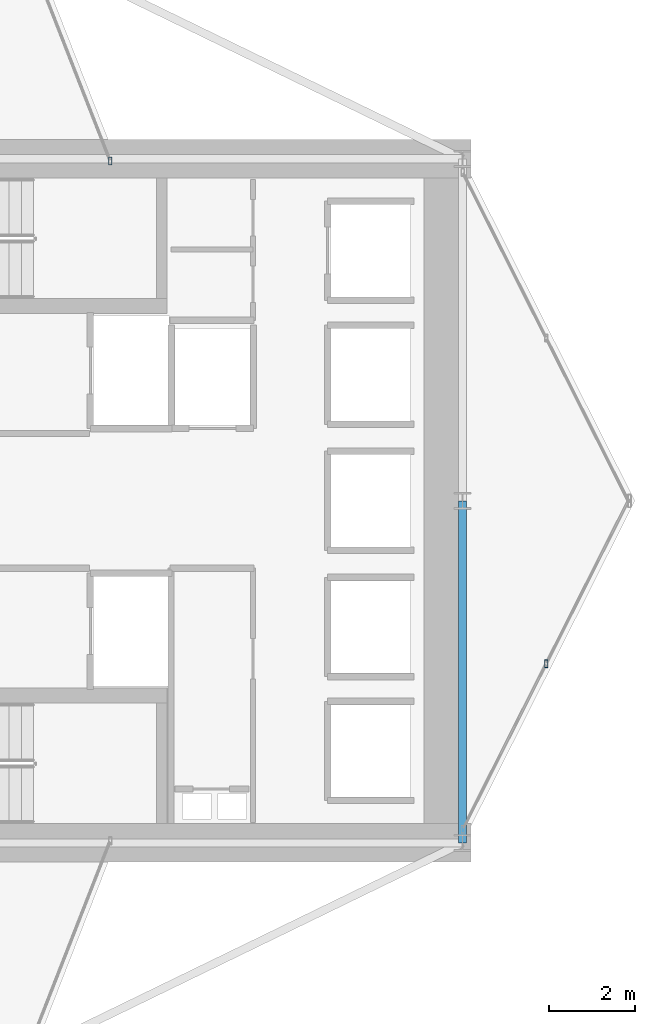
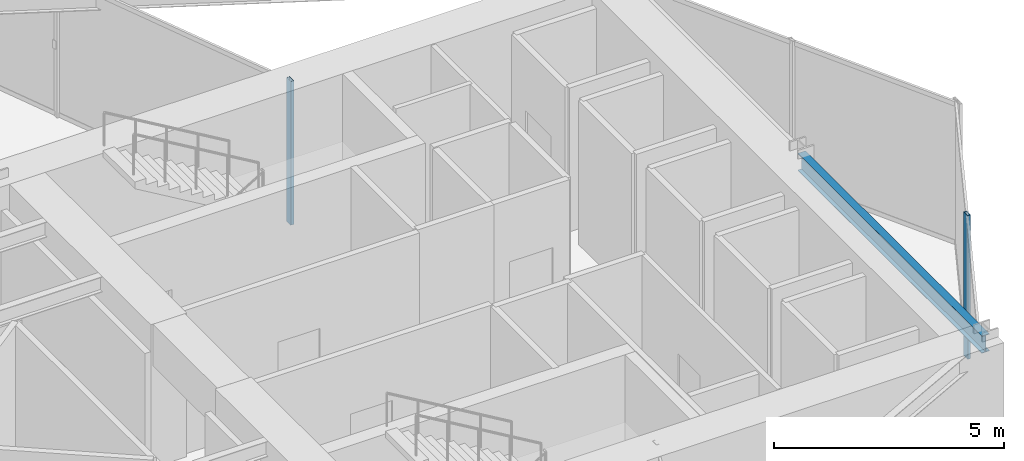
# One storey, part 17 of 29: 2 members, 1 beam, 2 elements without a shape of their own.
"""IFC4 building model written with IfcOpenShell, lengths in metres."""

from ifc_helpers import new_model, si_unit, direction, frame, origin, origin_2d, place, context, subcontext, project, spatial, hollow_rectangle, i_section, extrude, material, layer, layer_set, material_profile, profile_set, type_object, element, aggregate, save


model = new_model("IFC4")

# Units and contexts
model_context = context("Model", 3, precision=1e-05, world=origin(), true_north=direction((0.0, 1.0)))
body_context = subcontext(model_context, "Body", "Model", "MODEL_VIEW")
ifc_project = project(units=[si_unit("LENGTHUNIT", "METRE"), si_unit("AREAUNIT", "SQUARE_METRE"), si_unit("VOLUMEUNIT", "CUBIC_METRE"), si_unit("PLANEANGLEUNIT", "RADIAN"), si_unit("MASSUNIT", "GRAM", prefix="KILO")], contexts=[model_context])

# Site, building, storey
site_placement = place(None, origin())
site = spatial("IfcSite", under=ifc_project, at=site_placement, CompositionType="ELEMENT")
building_placement = place(site_placement, origin())
building = spatial("IfcBuilding", under=site, at=building_placement, Name="Veymaron Broadcast Tower", CompositionType="ELEMENT")
storey_placement = place(building_placement, frame((0.0, 0.0, 58.050048828125)))
storey = spatial("IfcBuildingStorey", under=building, at=storey_placement, Name="L12", CompositionType="ELEMENT", Elevation=58.050048828125)

# Beam
ifc_material_1 = material(Name="Structural steel ASTM A992 Gr 50", Category="steel")
ifc_material_profile_1 = material_profile(ifc_material_1, i_section(OverallWidth=0.19091796875, OverallDepth=0.4599609375, WebThickness=0.010009765625, FlangeThickness=0.01611328125, at=origin_2d()), Name="W460X82")
ifc_profile_set_1 = profile_set([ifc_material_profile_1], Name="Structural steel ASTM A992 Gr 50")
beam_type = type_object("IfcBeamType", Name="BM-SP1", PredefinedType="SPANDREL", material=ifc_profile_set_1)
beam_placement = place(storey_placement, frame((54.60009765625, 16.0, 3.579833984375), z_axis=(0.0, 1.0, 0.0), x_axis=(-1.0, 0.0, 0.0)))
element("IfcBeam", 1, at=beam_placement, inside=storey, type_object=beam_type, Name="L12 primary structural floor girder", PredefinedType="SPANDREL", context=body_context, shape_type="SweptSolid", body=[
    extrude(i_section(OverallWidth=0.19091796875, OverallDepth=0.4599609375, WebThickness=0.010009765625, FlangeThickness=0.01611328125, at=origin_2d()), origin(), (0.0, 0.0, 1.0), 8.0),
])

# Curtain wall, member
ifc_material_2 = material(Name="Anodised aluminium AA 6063-T6 and laminated low-E dark glass", Category="aluminium")
ifc_layer = layer(ifc_material_2, 0.179931640625)
ifc_layer_set = layer_set([ifc_layer], Name="Anodised aluminium AA 6063-T6 and laminated low-E dark glass")
curtain_wall_type = type_object("IfcCurtainWallType", Name="CW-SYS-02", PredefinedType="NOTDEFINED", material=ifc_layer_set)
curtain_wall_1_placement = place(storey_placement, origin())
curtain_wall_1 = element("IfcCurtainWall", 2, at=curtain_wall_1_placement, inside=storey, type_object=curtain_wall_type, Name="L12 dark-glass curtain wall CW-L12-E2-1", PredefinedType="NOTDEFINED")
ifc_material_3 = material(Name="Anodised aluminium AA 6063-T6", Category="aluminium")
ifc_material_profile_2 = material_profile(ifc_material_3, hollow_rectangle(XDim=0.074951171875, YDim=0.179931640625, WallThickness=0.0048828125, at=origin_2d()), Name="AL180X75X5")
ifc_profile_set_2 = profile_set([ifc_material_profile_2], Name="Anodised aluminium AA 6063-T6")
member_type = type_object("IfcMemberType", Name="CW-MUL-02", PredefinedType="MULLION", material=ifc_profile_set_2)
member_1_placement = place(storey_placement, frame((56.555419921875, 20.19091796875, 0.0), z_axis=(0.0, 0.0, 1.0), x_axis=(1.0, 0.0, 0.0)))
member_1 = element("IfcMember", 3, at=member_1_placement, type_object=member_type, Name="CW-L12-E2-1 mullion 1", PredefinedType="MULLION", context=body_context, shape_type="SweptSolid", body=[
    extrude(hollow_rectangle(XDim=0.074951171875, YDim=0.179931640625, WallThickness=0.0048828125, at=origin_2d()), origin(), (0.0, 0.0, 1.0), 3.81005859375),
])
aggregate(curtain_wall_1, [member_1])

curtain_wall_2_placement = place(storey_placement, origin())
curtain_wall_2 = element("IfcCurtainWall", 4, at=curtain_wall_2_placement, inside=storey, type_object=curtain_wall_type, Name="L12 dark-glass curtain wall CW-L12-E5-1", PredefinedType="NOTDEFINED")
member_2_placement = place(storey_placement, frame((46.356689453125, 31.948974609375, 0.0), z_axis=(0.0, 0.0, 1.0), x_axis=(1.0, 0.0, 0.0)))
member_2 = element("IfcMember", 5, at=member_2_placement, type_object=member_type, Name="CW-L12-E5-1 mullion 0", PredefinedType="MULLION", context=body_context, shape_type="SweptSolid", body=[
    extrude(hollow_rectangle(XDim=0.074951171875, YDim=0.179931640625, WallThickness=0.0048828125, at=origin_2d()), origin(), (0.0, 0.0, 1.0), 3.81005859375),
])
aggregate(curtain_wall_2, [member_2])

save(model, "model.ifc")
